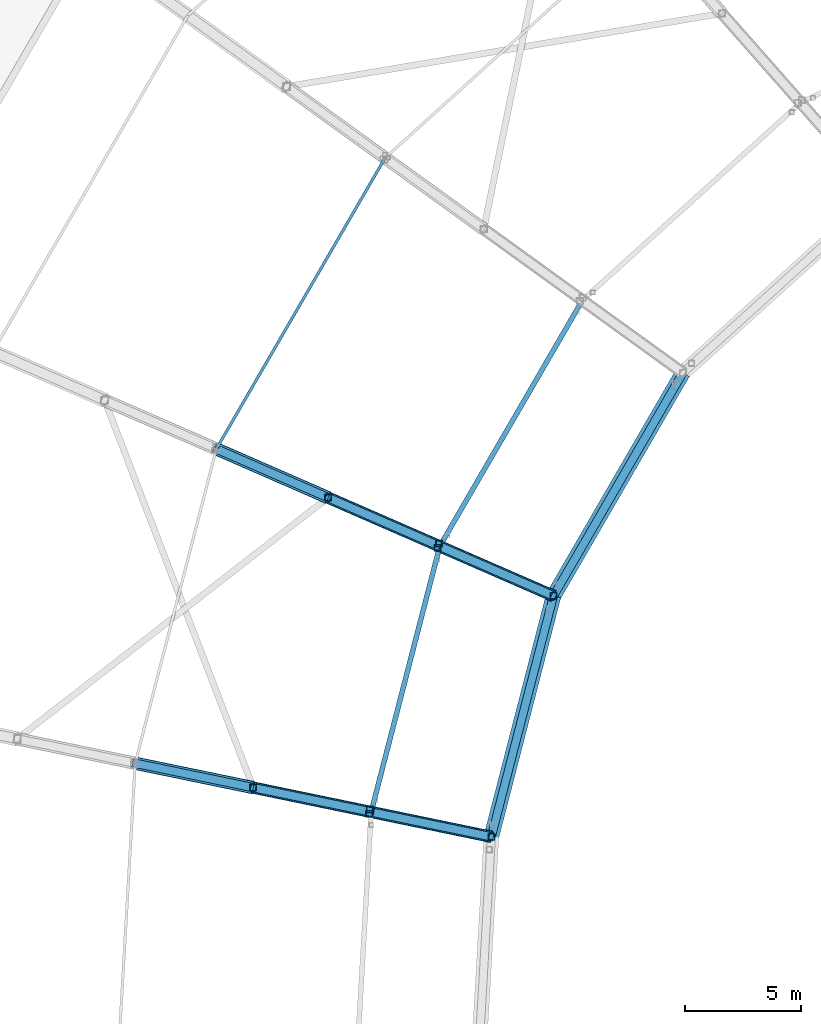
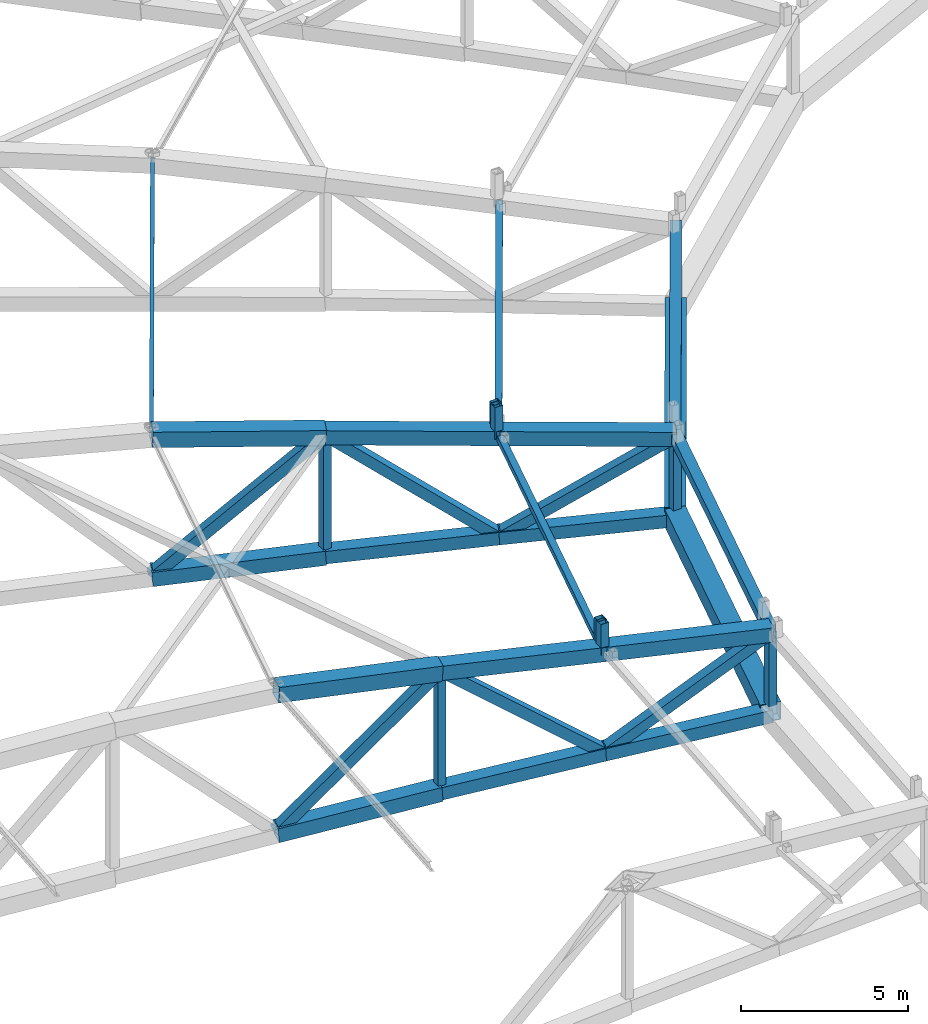
# One storey, part 44 of 162: 33 members.
"""IFC4 building model written with IfcOpenShell, lengths in metres."""

from ifc_helpers import new_model, si_unit, direction, frame, origin, origin_2d, place, context, subcontext, project, spatial, hollow_rectangle, i_section, extrude, material, material_profile, profile_set, type_object, element, save


model = new_model("IFC4")

# Units and contexts
model_context = context("Model", 3, precision=1e-05, world=origin(), true_north=direction((0.0, 1.0)))
body_context = subcontext(model_context, "Body", "Model", "MODEL_VIEW")
ifc_project = project(units=[si_unit("LENGTHUNIT", "METRE"), si_unit("AREAUNIT", "SQUARE_METRE"), si_unit("VOLUMEUNIT", "CUBIC_METRE"), si_unit("PLANEANGLEUNIT", "RADIAN"), si_unit("MASSUNIT", "GRAM", prefix="KILO")], contexts=[model_context])

# Site, building, storey
site_placement = place(None, origin())
site = spatial("IfcSite", under=ifc_project, at=site_placement, CompositionType="ELEMENT")
building_placement = place(site_placement, origin())
building = spatial("IfcBuilding", under=site, at=building_placement, Name="Kazemori Nagisa Stadium", CompositionType="ELEMENT")
storey_placement = place(building_placement, frame((0.0, 0.0, 36.719970703125)))
storey = spatial("IfcBuildingStorey", under=building, at=storey_placement, Name="RF", CompositionType="ELEMENT", Elevation=36.719970703125)

# Members
ifc_material_1 = material(Name="Steel STKR490", Category="steel")
ifc_material_profile_1 = material_profile(ifc_material_1, hollow_rectangle(XDim=0.280029296875, YDim=0.280029296875, WallThickness=0.010009765625, at=origin_2d()), Name="SHS-280x280x10")
ifc_profile_set_1 = profile_set([ifc_material_profile_1], Name="Steel STKR490")
member_type_1 = type_object("IfcMemberType", Name="Member_ST-SHS280", PredefinedType="STUD", material=ifc_profile_set_1)
member_1_placement = place(storey_placement, frame((70.5361328125, 124.980224609375, 5.966064453125), z_axis=(0.0, 0.0, 1.0), x_axis=(1.0, 0.0, 0.0)))
element("IfcMember", 1, at=member_1_placement, inside=storey, type_object=member_type_1, Name="Canopy bearing stool B12-inner-3", PredefinedType="STUD", context=body_context, shape_type="SweptSolid", body=[
    extrude(hollow_rectangle(XDim=0.280029296875, YDim=0.280029296875, WallThickness=0.010009765625, at=origin_2d()), origin(), (0.0, 0.0, 1.0), 1.10693359375),
])
member_2_placement = place(storey_placement, frame((67.558837890625, 113.552978515625, 6.013916015625), z_axis=(0.0, 0.0, 1.0), x_axis=(1.0, 0.0, 0.0)))
element("IfcMember", 2, at=member_2_placement, inside=storey, type_object=member_type_1, Name="Canopy bearing stool B13-inner-3", PredefinedType="STUD", context=body_context, shape_type="SweptSolid", body=[
    extrude(hollow_rectangle(XDim=0.280029296875, YDim=0.280029296875, WallThickness=0.010009765625, at=origin_2d()), origin(), (0.0, 0.0, 1.0), 1.113037109375),
])
member_3_placement = place(storey_placement, frame((70.45703125, 124.797119140625, 5.966064453125), z_axis=(0.0, 0.0, 1.0), x_axis=(1.0, 0.0, 0.0)))
element("IfcMember", 3, at=member_3_placement, inside=storey, type_object=member_type_1, Name="Canopy bearing stool B13-inner-4", PredefinedType="STUD", context=body_context, shape_type="SweptSolid", body=[
    extrude(hollow_rectangle(XDim=0.280029296875, YDim=0.280029296875, WallThickness=0.010009765625, at=origin_2d()), origin(), (0.0, 0.0, 1.0), 1.160888671875),
])
member_4_placement = place(storey_placement, frame((67.523681640625, 113.361572265625, 6.013916015625), z_axis=(0.0, 0.0, 1.0), x_axis=(1.0, 0.0, 0.0)))
element("IfcMember", 4, at=member_4_placement, inside=storey, type_object=member_type_1, Name="Canopy bearing stool B14-inner-4", PredefinedType="STUD", context=body_context, shape_type="SweptSolid", body=[
    extrude(hollow_rectangle(XDim=0.280029296875, YDim=0.280029296875, WallThickness=0.010009765625, at=origin_2d()), origin(), (0.0, 0.0, 1.0), 1.131103515625),
])
ifc_material_profile_2 = material_profile(ifc_material_1, hollow_rectangle(XDim=0.360107421875, YDim=0.360107421875, WallThickness=0.013916015625, at=origin_2d()), Name="SHS-360x360x14")
ifc_profile_set_2 = profile_set([ifc_material_profile_2], Name="Steel STKR490")
member_type_2 = type_object("IfcMemberType", Name="Member_TB-SHS360", PredefinedType="BRACE", material=ifc_profile_set_2)
member_5_placement = place(storey_placement, frame((60.958251953125, 129.047119140625, 1.630126953125), z_axis=(0.676937073197, -0.295118395441, 0.674285793714), x_axis=(0.399634648115, 0.916674504951, 0.0)))
element("IfcMember", 5, at=member_5_placement, inside=storey, type_object=member_type_2, Name="Roof space truss diagonal RT-13-7", PredefinedType="BRACE", context=body_context, shape_type="SweptSolid", body=[
    extrude(hollow_rectangle(XDim=0.360107421875, YDim=0.360107421875, WallThickness=0.013916015625, at=origin_2d()), origin(), (0.0, 0.0, 1.0), 7.090576171875),
])
member_6_placement = place(storey_placement, frame((65.758056640625, 126.95458984375, 6.4111328125), z_axis=(0.719864160032, -0.313796330187, -0.619134439571), x_axis=(0.399595467244, 0.916691585299, 0.0)))
element("IfcMember", 6, at=member_6_placement, inside=storey, type_object=member_type_2, Name="Roof space truss diagonal RT-13-8", PredefinedType="BRACE", context=body_context, shape_type="SweptSolid", body=[
    extrude(hollow_rectangle(XDim=0.360107421875, YDim=0.360107421875, WallThickness=0.013916015625, at=origin_2d()), origin(), (0.0, 0.0, 1.0), 6.667724609375),
])
member_7_placement = place(storey_placement, frame((70.557861328125, 124.8623046875, 2.282958984375), z_axis=(0.783551290273, -0.341610205957, 0.518989251043), x_axis=(0.399646575695, 0.916669304894, 0.0)))
element("IfcMember", 7, at=member_7_placement, inside=storey, type_object=member_type_2, Name="Roof space truss diagonal RT-13-9", PredefinedType="BRACE", context=body_context, shape_type="SweptSolid", body=[
    extrude(hollow_rectangle(XDim=0.360107421875, YDim=0.360107421875, WallThickness=0.013916015625, at=origin_2d()), origin(), (0.0, 0.0, 1.0), 6.239013671875),
])
member_8_placement = place(storey_placement, frame((57.47119140625, 115.53955078125, 1.652099609375), z_axis=(0.717435435757, -0.148220468066, 0.680673995659), x_axis=(0.20232488246, 0.979318457876, 0.0)))
element("IfcMember", 8, at=member_8_placement, inside=storey, type_object=member_type_2, Name="Roof space truss diagonal RT-14-7", PredefinedType="BRACE", context=body_context, shape_type="SweptSolid", body=[
    extrude(hollow_rectangle(XDim=0.360107421875, YDim=0.360107421875, WallThickness=0.013916015625, at=origin_2d()), origin(), (0.0, 0.0, 1.0), 7.066162109375),
])
member_9_placement = place(storey_placement, frame((62.540771484375, 114.4921875, 6.4619140625), z_axis=(0.764535654953, -0.157988080684, -0.624919993813), x_axis=(0.202370113198, 0.979309112224, 0.0)))
element("IfcMember", 9, at=member_9_placement, inside=storey, type_object=member_type_2, Name="Roof space truss diagonal RT-14-8", PredefinedType="BRACE", context=body_context, shape_type="SweptSolid", body=[
    extrude(hollow_rectangle(XDim=0.360107421875, YDim=0.360107421875, WallThickness=0.013916015625, at=origin_2d()), origin(), (0.0, 0.0, 1.0), 6.630859375),
])
member_10_placement = place(storey_placement, frame((67.6103515625, 113.444580078125, 2.318115234375), z_axis=(0.83387920966, -0.1723037565, 0.524363308396), x_axis=(0.202354481803, 0.979312342256, 0.0)))
element("IfcMember", 10, at=member_10_placement, inside=storey, type_object=member_type_2, Name="Roof space truss diagonal RT-14-9", PredefinedType="BRACE", context=body_context, shape_type="SweptSolid", body=[
    extrude(hollow_rectangle(XDim=0.360107421875, YDim=0.360107421875, WallThickness=0.013916015625, at=origin_2d()), origin(), (0.0, 0.0, 1.0), 6.19189453125),
])
ifc_material_profile_3 = material_profile(ifc_material_1, hollow_rectangle(XDim=0.35009765625, YDim=0.35009765625, WallThickness=0.01611328125, at=origin_2d()), Name="SHS-350x350x16")
ifc_profile_set_3 = profile_set([ifc_material_profile_3], Name="Steel STKR490")
member_type_3 = type_object("IfcMemberType", Name="Member_TC-SHS350", PredefinedType="CHORD", material=ifc_profile_set_3)
member_11_placement = place(storey_placement, frame((81.0048828125, 132.317138671875, 5.448974609375), z_axis=(-0.501597033298, -0.865076975994, 0.006499368596), x_axis=(0.865095247773, -0.501607627813, 0.0)))
element("IfcMember", 11, at=member_11_placement, inside=storey, type_object=member_type_3, Name="Roof tension ring beam upper TR-12", PredefinedType="CHORD", context=body_context, shape_type="SweptSolid", body=[
    extrude(hollow_rectangle(XDim=0.35009765625, YDim=0.35009765625, WallThickness=0.01611328125, at=origin_2d()), origin(), (0.0, 0.0, 1.0), 11.081298828125),
])
member_12_placement = place(storey_placement, frame((75.446533203125, 122.73095703125, 5.52099609375), z_axis=(-0.249967058277, -0.968245619322, 0.004109798181), x_axis=(0.968253796473, -0.24996916933, 0.0)))
element("IfcMember", 12, at=member_12_placement, inside=storey, type_object=member_type_3, Name="Roof tension ring beam upper TR-13", PredefinedType="CHORD", context=body_context, shape_type="SweptSolid", body=[
    extrude(hollow_rectangle(XDim=0.35009765625, YDim=0.35009765625, WallThickness=0.01611328125, at=origin_2d()), origin(), (0.0, 0.0, 1.0), 10.69287109375),
])
ifc_material_profile_4 = material_profile(ifc_material_1, hollow_rectangle(XDim=0.4599609375, YDim=0.4599609375, WallThickness=0.01611328125, at=origin_2d()), Name="SHS-460x460x16")
ifc_profile_set_4 = profile_set([ifc_material_profile_4], Name="Steel STKR490")
member_type_4 = type_object("IfcMemberType", Name="Member_TC-SHS460", PredefinedType="CHORD", material=ifc_profile_set_4)
member_13_placement = place(storey_placement, frame((65.758056640625, 126.95458984375, 2.0), z_axis=(0.915355944703, -0.399013247513, 0.05396223499), x_axis=(0.399595467244, 0.916691585299, 0.0)))
element("IfcMember", 13, at=member_13_placement, inside=storey, type_object=member_type_4, Name="Roof space truss bottom chord RT-13-8", PredefinedType="CHORD", context=body_context, shape_type="SweptSolid", body=[
    extrude(hollow_rectangle(XDim=0.4599609375, YDim=0.4599609375, WallThickness=0.01611328125, at=origin_2d()), origin(), (0.0, 0.0, 1.0), 5.24365234375),
])
member_14_placement = place(storey_placement, frame((70.557861328125, 124.8623046875, 2.282958984375), z_axis=(0.915717936839, -0.399231801269, 0.04554809554), x_axis=(0.399646575695, 0.916669304894, 0.0)))
element("IfcMember", 14, at=member_14_placement, inside=storey, type_object=member_type_4, Name="Roof space truss bottom chord RT-13-9", PredefinedType="CHORD", context=body_context, shape_type="SweptSolid", body=[
    extrude(hollow_rectangle(XDim=0.4599609375, YDim=0.4599609375, WallThickness=0.01611328125, at=origin_2d()), origin(), (0.0, 0.0, 1.0), 5.338623046875),
])
member_15_placement = place(storey_placement, frame((62.540771484375, 114.4921875, 2.030029296875), z_axis=(0.977796170466, -0.202057470141, 0.055564627072), x_axis=(0.202370113198, 0.979309112224, 0.0)))
element("IfcMember", 15, at=member_15_placement, inside=storey, type_object=member_type_4, Name="Roof space truss bottom chord RT-14-8", PredefinedType="CHORD", context=body_context, shape_type="SweptSolid", body=[
    extrude(hollow_rectangle(XDim=0.4599609375, YDim=0.4599609375, WallThickness=0.01611328125, at=origin_2d()), origin(), (0.0, 0.0, 1.0), 5.184814453125),
])
member_16_placement = place(storey_placement, frame((67.6103515625, 113.444580078125, 2.318115234375), z_axis=(0.978232482615, -0.202131351318, 0.04694812851), x_axis=(0.202354481803, 0.979312342256, 0.0)))
element("IfcMember", 16, at=member_16_placement, inside=storey, type_object=member_type_4, Name="Roof space truss bottom chord RT-14-9", PredefinedType="CHORD", context=body_context, shape_type="SweptSolid", body=[
    extrude(hollow_rectangle(XDim=0.4599609375, YDim=0.4599609375, WallThickness=0.01611328125, at=origin_2d()), origin(), (0.0, 0.0, 1.0), 5.2783203125),
])
ifc_material_profile_5 = material_profile(ifc_material_1, hollow_rectangle(XDim=0.52001953125, YDim=0.52001953125, WallThickness=0.01904296875, at=origin_2d()), Name="SHS-520x520x19")
ifc_profile_set_5 = profile_set([ifc_material_profile_5], Name="Steel STKR490")
member_type_5 = type_object("IfcMemberType", Name="Member_TC-SHS520", PredefinedType="CHORD", material=ifc_profile_set_5)
member_17_placement = place(storey_placement, frame((60.958251953125, 129.047119140625, 1.630126953125), z_axis=(0.914395988837, -0.39864130317, 0.070463373504), x_axis=(0.399634648115, 0.916674504951, 0.0)))
element("IfcMember", 17, at=member_17_placement, inside=storey, type_object=member_type_5, Name="Roof space truss bottom chord RT-13-7", PredefinedType="CHORD", context=body_context, shape_type="SweptSolid", body=[
    extrude(hollow_rectangle(XDim=0.52001953125, YDim=0.52001953125, WallThickness=0.01904296875, at=origin_2d()), origin(), (0.0, 0.0, 1.0), 5.249267578125),
])
member_18_placement = place(storey_placement, frame((65.758056640625, 126.95458984375, 6.4111328125), z_axis=(0.913397761276, -0.398159654839, -0.084696038596), x_axis=(0.399595467244, 0.916691585299, 0.0)))
element("IfcMember", 18, at=member_18_placement, inside=storey, type_object=member_type_5, Name="Roof space truss top chord RT-13-8", PredefinedType="CHORD", context=body_context, shape_type="SweptSolid", body=[
    extrude(hollow_rectangle(XDim=0.52001953125, YDim=0.52001953125, WallThickness=0.01904296875, at=origin_2d()), origin(), (0.0, 0.0, 1.0), 5.2548828125),
])
member_19_placement = place(storey_placement, frame((70.557861328125, 124.8623046875, 5.966064453125), z_axis=(0.913493758771, -0.39826211117, -0.083165157922), x_axis=(0.399646575695, 0.916669304894, 0.0)))
element("IfcMember", 19, at=member_19_placement, inside=storey, type_object=member_type_5, Name="Roof space truss top chord RT-13-9", PredefinedType="CHORD", context=body_context, shape_type="SweptSolid", body=[
    extrude(hollow_rectangle(XDim=0.52001953125, YDim=0.52001953125, WallThickness=0.01904296875, at=origin_2d()), origin(), (0.0, 0.0, 1.0), 5.3515625),
])
member_20_placement = place(storey_placement, frame((57.47119140625, 115.53955078125, 1.652099609375), z_axis=(0.976718968745, -0.20178783414, 0.072812952739), x_axis=(0.20232488246, 0.979318457876, 0.0)))
element("IfcMember", 20, at=member_20_placement, inside=storey, type_object=member_type_5, Name="Roof space truss bottom chord RT-14-7", PredefinedType="CHORD", context=body_context, shape_type="SweptSolid", body=[
    extrude(hollow_rectangle(XDim=0.52001953125, YDim=0.52001953125, WallThickness=0.01904296875, at=origin_2d()), origin(), (0.0, 0.0, 1.0), 5.1904296875),
])
member_21_placement = place(storey_placement, frame((62.540771484375, 114.4921875, 6.4619140625), z_axis=(0.975662357679, -0.201616526694, -0.086219139241), x_axis=(0.202370113198, 0.979309112224, 0.0)))
element("IfcMember", 21, at=member_21_placement, inside=storey, type_object=member_type_5, Name="Roof space truss top chord RT-14-8", PredefinedType="CHORD", context=body_context, shape_type="SweptSolid", body=[
    extrude(hollow_rectangle(XDim=0.52001953125, YDim=0.52001953125, WallThickness=0.01904296875, at=origin_2d()), origin(), (0.0, 0.0, 1.0), 5.196044921875),
])
member_22_placement = place(storey_placement, frame((67.6103515625, 113.444580078125, 6.013916015625), z_axis=(0.975780808756, -0.20162476402, -0.084848499092), x_axis=(0.202354481803, 0.979312342256, 0.0)))
element("IfcMember", 22, at=member_22_placement, inside=storey, type_object=member_type_5, Name="Roof space truss top chord RT-14-9", PredefinedType="CHORD", context=body_context, shape_type="SweptSolid", body=[
    extrude(hollow_rectangle(XDim=0.52001953125, YDim=0.52001953125, WallThickness=0.01904296875, at=origin_2d()), origin(), (0.0, 0.0, 1.0), 5.29150390625),
])
ifc_material_profile_6 = material_profile(ifc_material_1, hollow_rectangle(XDim=0.56005859375, YDim=0.56005859375, WallThickness=0.02001953125, at=origin_2d()), Name="SHS-560x560x20")
ifc_profile_set_6 = profile_set([ifc_material_profile_6], Name="Steel STKR490")
member_type_6 = type_object("IfcMemberType", Name="Member_TC-SHS560", PredefinedType="CHORD", material=ifc_profile_set_6)
member_23_placement = place(storey_placement, frame((60.958251953125, 129.047119140625, 6.758056640625), z_axis=(0.91466906534, -0.398760353969, -0.066111126238), x_axis=(0.399634648115, 0.916674504951, 0.0)))
element("IfcMember", 23, at=member_23_placement, inside=storey, type_object=member_type_6, Name="Roof space truss top chord RT-13-7", PredefinedType="CHORD", context=body_context, shape_type="SweptSolid", body=[
    extrude(hollow_rectangle(XDim=0.56005859375, YDim=0.56005859375, WallThickness=0.02001953125, at=origin_2d()), origin(), (0.0, 0.0, 1.0), 5.24755859375),
])
member_24_placement = place(storey_placement, frame((57.47119140625, 115.53955078125, 6.81201171875), z_axis=(0.977086481619, -0.201863761432, -0.067476138437), x_axis=(0.20232488246, 0.979318457876, 0.0)))
element("IfcMember", 24, at=member_24_placement, inside=storey, type_object=member_type_6, Name="Roof space truss top chord RT-14-7", PredefinedType="CHORD", context=body_context, shape_type="SweptSolid", body=[
    extrude(hollow_rectangle(XDim=0.56005859375, YDim=0.56005859375, WallThickness=0.02001953125, at=origin_2d()), origin(), (0.0, 0.0, 1.0), 5.1884765625),
])
ifc_material_profile_7 = material_profile(ifc_material_1, hollow_rectangle(XDim=0.64990234375, YDim=0.64990234375, WallThickness=0.02490234375, at=origin_2d()), Name="SHS-650x650x25")
ifc_profile_set_7 = profile_set([ifc_material_profile_7], Name="Steel STKR490")
member_type_7 = type_object("IfcMemberType", Name="Member_TC-SHS650", PredefinedType="CHORD", material=ifc_profile_set_7)
member_25_placement = place(storey_placement, frame((81.0048828125, 132.317138671875, 2.4599609375), z_axis=(-0.501598686984, -0.865079828016, 0.005970626089), x_axis=(0.865095247773, -0.501607627813, 0.0)))
element("IfcMember", 25, at=member_25_placement, inside=storey, type_object=member_type_7, Name="Roof tension ring beam lower TR-12", PredefinedType="CHORD", context=body_context, shape_type="SweptSolid", body=[
    extrude(hollow_rectangle(XDim=0.64990234375, YDim=0.64990234375, WallThickness=0.02490234375, at=origin_2d()), origin(), (0.0, 0.0, 1.0), 11.081298828125),
])
member_26_placement = place(storey_placement, frame((75.446533203125, 122.73095703125, 2.526123046875), z_axis=(-0.249967438197, -0.968247090941, 0.003721656232), x_axis=(0.968253796473, -0.24996916933, 0.0)))
element("IfcMember", 26, at=member_26_placement, inside=storey, type_object=member_type_7, Name="Roof tension ring beam lower TR-13", PredefinedType="CHORD", context=body_context, shape_type="SweptSolid", body=[
    extrude(hollow_rectangle(XDim=0.64990234375, YDim=0.64990234375, WallThickness=0.02490234375, at=origin_2d()), origin(), (0.0, 0.0, 1.0), 10.69287109375),
])
ifc_material_2 = material(Name="Steel SN490B", Category="steel")
ifc_material_profile_8 = material_profile(ifc_material_2, i_section(OverallWidth=0.125, OverallDepth=0.25, WebThickness=0.006103515625, FlangeThickness=0.009033203125, FilletRadius=0.008056640625, at=origin_2d()), Name="H-250x125x6x9")
ifc_profile_set_8 = profile_set([ifc_material_profile_8], Name="Steel SN490B")
member_type_8 = type_object("IfcMemberType", Name="Member_TP-H250", PredefinedType="PURLIN", material=ifc_profile_set_8)
member_27_placement = place(storey_placement, frame((68.210205078125, 141.553955078125, 6.672119140625), z_axis=(-0.501605101619, -0.865076290928, 0.005944148794), x_axis=(0.865091574162, -0.501613963436, 0.0)))
element("IfcMember", 27, at=member_27_placement, inside=storey, type_object=member_type_8, Name="Roof purlin TP-H250 B12-P6", PredefinedType="PURLIN", context=body_context, shape_type="SweptSolid", body=[
    extrude(i_section(OverallWidth=0.125, OverallDepth=0.25, WebThickness=0.006103515625, FlangeThickness=0.009033203125, FilletRadius=0.008056640625, at=origin_2d()), origin(), (0.0, 0.0, 1.0), 14.45751953125),
])
ifc_material_profile_9 = material_profile(ifc_material_1, hollow_rectangle(XDim=0.219970703125, YDim=0.219970703125, WallThickness=0.009033203125, at=origin_2d()), Name="SHS-220x220x9")
ifc_profile_set_9 = profile_set([ifc_material_profile_9], Name="Steel STKR490")
member_type_9 = type_object("IfcMemberType", Name="Member_TP-SHS220", PredefinedType="PURLIN", material=ifc_profile_set_9)
member_28_placement = place(storey_placement, frame((76.687744140625, 135.433837890625, 5.887939453125), z_axis=(-0.501609468203, -0.865070558493, 0.006392983504), x_axis=(0.865088236855, -0.501619718966, 0.0)))
element("IfcMember", 28, at=member_28_placement, inside=storey, type_object=member_type_9, Name="Roof purlin TP-SHS220 B12-P8", PredefinedType="PURLIN", context=body_context, shape_type="SweptSolid", body=[
    extrude(hollow_rectangle(XDim=0.219970703125, YDim=0.219970703125, WallThickness=0.009033203125, at=origin_2d()), origin(), (0.0, 0.0, 1.0), 12.220458984375),
])
member_29_placement = place(storey_placement, frame((70.557861328125, 124.8623046875, 5.966064453125), z_axis=(-0.24995548315, -0.968248826348, 0.004057920541), x_axis=(0.968256798387, -0.249957541149, 0.0)))
element("IfcMember", 29, at=member_29_placement, inside=storey, type_object=member_type_9, Name="Roof purlin TP-SHS220 B13-P8", PredefinedType="PURLIN", context=body_context, shape_type="SweptSolid", body=[
    extrude(hollow_rectangle(XDim=0.219970703125, YDim=0.219970703125, WallThickness=0.009033203125, at=origin_2d()), origin(), (0.0, 0.0, 1.0), 11.792236328125),
])
ifc_material_profile_10 = material_profile(ifc_material_1, hollow_rectangle(XDim=0.280029296875, YDim=0.280029296875, WallThickness=0.010009765625, at=origin_2d()), Name="SHS-280x280x10")
ifc_profile_set_10 = profile_set([ifc_material_profile_10], Name="Steel STKR490")
member_type_10 = type_object("IfcMemberType", Name="Member_TS-SHS280", PredefinedType="STRUT", material=ifc_profile_set_10)
member_30_placement = place(storey_placement, frame((65.758056640625, 126.95458984375, 2.0), z_axis=(0.0, 0.0, 1.0), x_axis=(1.0, 0.0, 0.0)))
element("IfcMember", 30, at=member_30_placement, inside=storey, type_object=member_type_10, Name="Roof space truss strut RT-13-8", PredefinedType="STRUT", context=body_context, shape_type="SweptSolid", body=[
    extrude(hollow_rectangle(XDim=0.280029296875, YDim=0.280029296875, WallThickness=0.010009765625, at=origin_2d()), origin(), (0.0, 0.0, 1.0), 4.4111328125),
])
member_31_placement = place(storey_placement, frame((75.446533203125, 122.73095703125, 2.526123046875), z_axis=(0.0, 0.0, 1.0), x_axis=(1.0, 0.0, 0.0)))
element("IfcMember", 31, at=member_31_placement, inside=storey, type_object=member_type_10, Name="Roof space truss strut RT-13-10", PredefinedType="STRUT", context=body_context, shape_type="SweptSolid", body=[
    extrude(hollow_rectangle(XDim=0.280029296875, YDim=0.280029296875, WallThickness=0.010009765625, at=origin_2d()), origin(), (0.0, 0.0, 1.0), 2.994873046875),
])
member_32_placement = place(storey_placement, frame((62.540771484375, 114.4921875, 2.030029296875), z_axis=(0.0, 0.0, 1.0), x_axis=(1.0, 0.0, 0.0)))
element("IfcMember", 32, at=member_32_placement, inside=storey, type_object=member_type_10, Name="Roof space truss strut RT-14-8", PredefinedType="STRUT", context=body_context, shape_type="SweptSolid", body=[
    extrude(hollow_rectangle(XDim=0.280029296875, YDim=0.280029296875, WallThickness=0.010009765625, at=origin_2d()), origin(), (0.0, 0.0, 1.0), 4.431884765625),
])
member_33_placement = place(storey_placement, frame((72.773681640625, 112.377685546875, 2.56591796875), z_axis=(0.0, 0.0, 1.0), x_axis=(1.0, 0.0, 0.0)))
element("IfcMember", 33, at=member_33_placement, inside=storey, type_object=member_type_10, Name="Roof space truss strut RT-14-10", PredefinedType="STRUT", context=body_context, shape_type="SweptSolid", body=[
    extrude(hollow_rectangle(XDim=0.280029296875, YDim=0.280029296875, WallThickness=0.010009765625, at=origin_2d()), origin(), (0.0, 0.0, 1.0), 2.9990234375),
])

save(model, "model.ifc")
